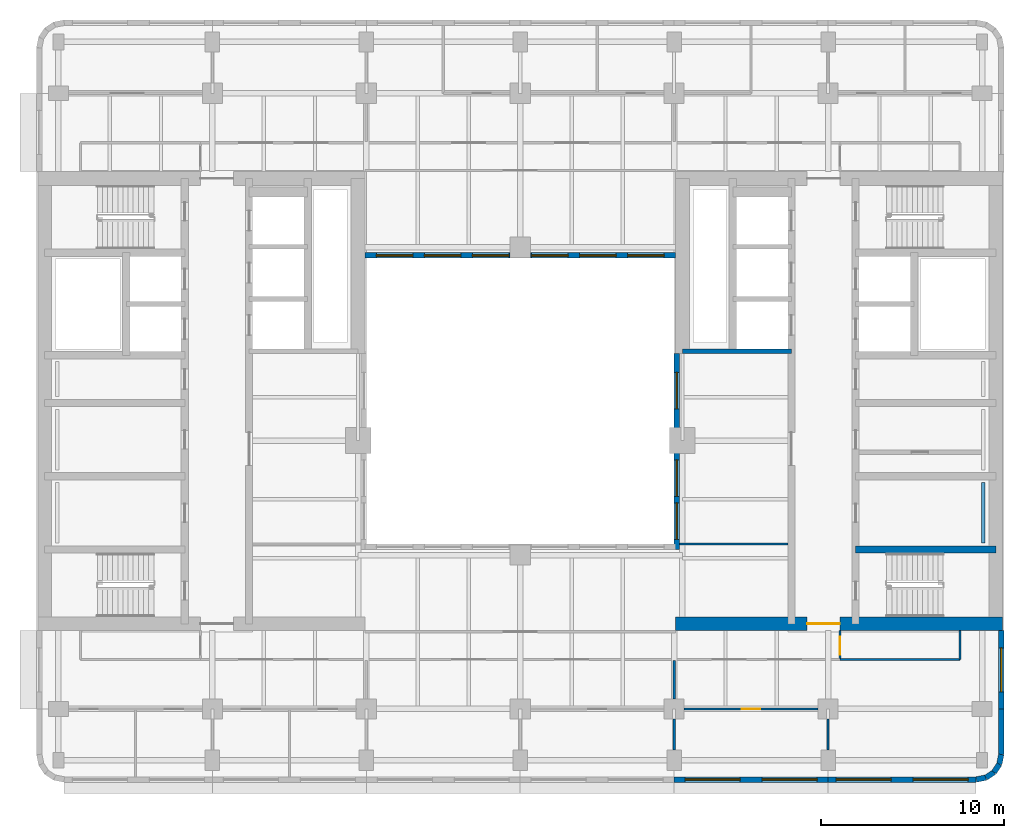
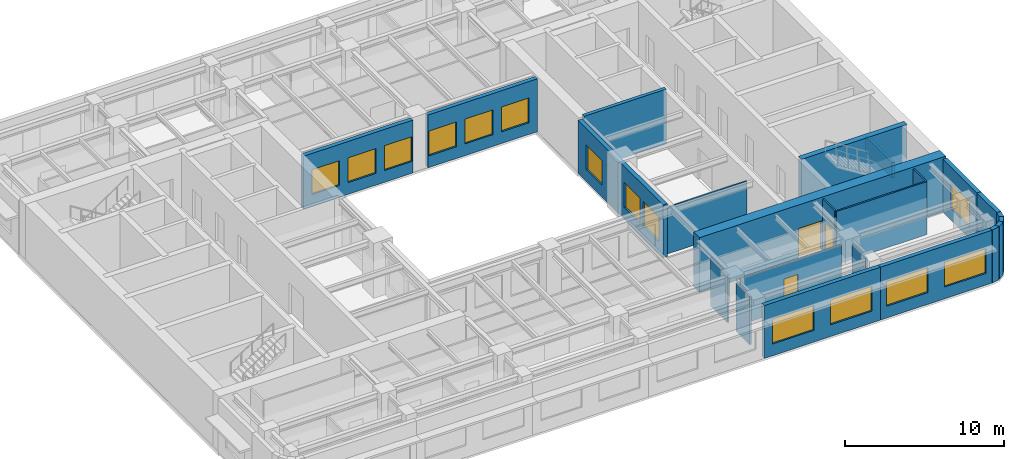
# One storey, part 5 of 11: 23 walls, 14 windows, 3 doors, 17 openings.
"""IFC4 building model written with IfcOpenShell, lengths in metres."""

from ifc_helpers import new_model, si_unit, direction, frame, frame_2d, origin, place, context, subcontext, project, spatial, rectangle, extrude, material, layer, layer_set, type_object, element, fill, save


model = new_model("IFC4")

# Units and contexts
model_context = context("Model", 3, precision=1e-05, world=origin(), true_north=direction((0.0, 1.0)))
body_context = subcontext(model_context, "Body", "Model", "MODEL_VIEW")
ifc_project = project(units=[si_unit("LENGTHUNIT", "METRE"), si_unit("AREAUNIT", "SQUARE_METRE"), si_unit("VOLUMEUNIT", "CUBIC_METRE"), si_unit("PLANEANGLEUNIT", "RADIAN"), si_unit("MASSUNIT", "GRAM", prefix="KILO")], contexts=[model_context])

# Site, building, storey
site_placement = place(None, origin())
site = spatial("IfcSite", under=ifc_project, at=site_placement, CompositionType="ELEMENT")
building_placement = place(site_placement, origin())
building = spatial("IfcBuilding", under=site, at=building_placement, Name="Claustro Exchange Tower", CompositionType="ELEMENT")
storey_placement = place(building_placement, frame((0.0, 0.0, 202.800048828125)))
storey = spatial("IfcBuildingStorey", under=building, at=storey_placement, Name="L46", CompositionType="ELEMENT", Elevation=202.800048828125)

# Wall
ifc_material_1 = material(Name="Laminated glass in aluminium frame", Category="aluminium")
ifc_layer_1 = layer(ifc_material_1, 0.1201171875)
ifc_layer_set_1 = layer_set([ifc_layer_1], Name="Laminated glass in aluminium frame")
wall_type_1 = type_object("IfcWallType", Name="P2 120 glazed partition", PredefinedType="PARTITIONING", material=ifc_layer_set_1)
wall_1_placement = place(storey_placement, frame((33.89794921875, 17.39990234375, 0.0), z_axis=(0.0, 0.0, 1.0), x_axis=(1.0, 0.0, 0.0)))
element("IfcWall", 1, at=wall_1_placement, inside=storey, type_object=wall_type_1, Name="Partition P2 L46", PredefinedType="PARTITIONING", context=body_context, shape_type="SweptSolid", body=[
    extrude(rectangle(XDim=5.904052734375, YDim=0.1201171875, at=frame_2d((2.9521484375, 0.0))), origin(), (0.0, 0.0, 1.0), 3.550048828125),
])

# Wall, opening, door
wall_2_placement = place(storey_placement, frame((34.14892578125, 8.39990234375, 0.0), z_axis=(0.0, 0.0, 1.0), x_axis=(1.0, 0.0, 0.0)))
wall_2 = element("IfcWall", 2, at=wall_2_placement, inside=storey, type_object=wall_type_1, Name="Partition P2 L46", PredefinedType="PARTITIONING", context=body_context, shape_type="SweptSolid", body=[
    extrude(rectangle(XDim=7.302001953125, YDim=0.1201171875, at=frame_2d((3.65087890625, 0.0))), origin(), (0.0, 0.0, 1.0), 3.550048828125),
])
opening_1_placement = place(wall_2_placement, frame((3.15087890625, 0.0, 0.0)))
opening_1 = element("IfcOpeningElement", 3, at=opening_1_placement, cuts=wall_2, Name="Opening D7", PredefinedType="OPENING", context=body_context, shape_type="SweptSolid", body=[
    extrude(rectangle(XDim=1.0, YDim=2.39990234375, at=frame_2d((0.5, 1.199951171875))), frame((0.0, 0.070068359375, 0.0), z_axis=(0.0, -1.0, 0.0), x_axis=(1.0, 0.0, 0.0)), (0.0, 0.0, 1.0), 0.14013671875),
])
ifc_material_2 = material(Name="Glass door in aluminium frame", Category="aluminium")
door_type_1 = type_object("IfcDoorType", Name="D7 1000 x 2400 glazed door", OperationType="SINGLE_SWING_LEFT", PredefinedType="DOOR", material=ifc_material_2)
door_1_placement = place(opening_1_placement, frame((1.0, 0.0, 0.0), z_axis=(0.0, 0.0, 1.0), x_axis=(-1.0, 0.0, 0.0)))
door_1 = element("IfcDoor", 4, at=door_1_placement, inside=storey, type_object=door_type_1, Name="Door D7 L46", OperationType="SINGLE_SWING_RIGHT", OverallHeight=2.39990234375, OverallWidth=1.0, PredefinedType="DOOR", context=body_context, shape_type="SweptSolid", body=[
    extrude(rectangle(XDim=1.0, YDim=2.39990234375, at=frame_2d((0.5, 1.199951171875))), frame((0.0, 0.02490234375, 0.0), z_axis=(0.0, -1.0, 0.0), x_axis=(1.0, 0.0, 0.0)), (0.0, 0.0, 1.0), 0.050048828125),
])
fill(opening_1, door_1)

# Walls
for number, where, z_axis, x_axis, name in (
    (5, (33.60009765625, 6.14892578125, 0.0), (0.0, 0.0, 1.0), (0.0, 1.0, 0.0), "Partition P2 L46"),
    (6, (42.0, 6.14892578125, 0.0), (0.0, 0.0, 1.0), (0.0, 1.0, 0.0), "Partition P2 L46"),
):
    element("IfcWall", number, at=place(storey_placement, frame(where, z_axis=z_axis, x_axis=x_axis)), inside=storey, type_object=wall_type_1, Name=name, PredefinedType="PARTITIONING", context=body_context, shape_type="SweptSolid", body=[
        extrude(rectangle(XDim=1.7021484375, YDim=0.1201171875, at=frame_2d((0.85107421875, 0.0))), origin(), (0.0, 0.0, 1.0), 3.68994140625),
    ])
wall_3_placement = place(storey_placement, frame((33.60009765625, 8.948974609375, 0.0), z_axis=(0.0, 0.0, 1.0), x_axis=(0.0, 1.0, 0.0)))
element("IfcWall", 7, at=wall_3_placement, inside=storey, type_object=wall_type_1, Name="Partition P2 L46", PredefinedType="PARTITIONING", context=body_context, shape_type="SweptSolid", body=[
    extrude(rectangle(XDim=2.093017578125, YDim=0.1201171875, at=frame_2d((1.04638671875, 0.0))), origin(), (0.0, 0.0, 1.0), 3.68994140625),
])

# Wall, opening, door
wall_4_placement = place(storey_placement, frame((42.64990234375, 11.157958984375, 0.0), z_axis=(0.0, 0.0, 1.0), x_axis=(0.0, 1.0, 0.0)))
wall_4 = element("IfcWall", 8, at=wall_4_placement, inside=storey, type_object=wall_type_1, Name="Partition P2 L46", PredefinedType="PARTITIONING", context=body_context, shape_type="SweptSolid", body=[
    extrude(rectangle(XDim=1.51806640625, YDim=0.1201171875, at=frame_2d((0.759033203125, 0.0))), origin(), (0.0, 0.0, 1.0), 4.050048828125),
])
opening_2_placement = place(wall_4_placement, frame((0.19189453125, 0.0, 0.0)))
opening_2 = element("IfcOpeningElement", 9, at=opening_2_placement, cuts=wall_4, Name="Opening D7", PredefinedType="OPENING", context=body_context, shape_type="SweptSolid", body=[
    extrude(rectangle(XDim=1.0, YDim=2.39990234375, at=frame_2d((0.5, 1.199951171875))), frame((0.0, 0.070068359375, 0.0), z_axis=(0.0, -1.0, 0.0), x_axis=(1.0, 0.0, 0.0)), (0.0, 0.0, 1.0), 0.14013671875),
])
door_2_placement = place(opening_2_placement, frame((1.0, 0.0, 0.0), z_axis=(0.0, 0.0, 1.0), x_axis=(-1.0, 0.0, 0.0)))
door_2 = element("IfcDoor", 10, at=door_2_placement, inside=storey, type_object=door_type_1, Name="Door D7 L46", OperationType="SINGLE_SWING_RIGHT", OverallHeight=2.39990234375, OverallWidth=1.0, PredefinedType="DOOR", context=body_context, shape_type="SweptSolid", body=[
    extrude(rectangle(XDim=1.0, YDim=2.39990234375, at=frame_2d((0.5, 1.199951171875))), frame((0.0, 0.02490234375, 0.0), z_axis=(0.0, -1.0, 0.0), x_axis=(1.0, 0.0, 0.0)), (0.0, 0.0, 1.0), 0.050048828125),
])
fill(opening_2, door_2)

# Walls
wall_5_placement = place(storey_placement, frame((42.64794921875, 11.10009765625, 0.0), z_axis=(0.0, 0.0, 1.0), x_axis=(1.0, 0.0, 0.0)))
element("IfcWall", 11, at=wall_5_placement, inside=storey, type_object=wall_type_1, Name="Partition P2 L46", PredefinedType="PARTITIONING", context=body_context, shape_type="SweptSolid", body=[
    extrude(rectangle(XDim=6.552001953125, YDim=0.1201171875, at=frame_2d((3.27587890625, 0.0))), origin(), (0.0, 0.0, 1.0), 4.050048828125),
])
wall_6_placement = place(storey_placement, frame((49.199951171875, 11.10009765625, 0.0), z_axis=(0.0, 0.0, 1.0), x_axis=(0.0, 1.0, 0.0)))
element("IfcWall", 12, at=wall_6_placement, inside=storey, type_object=wall_type_1, Name="Partition P2 L46", PredefinedType="PARTITIONING", context=body_context, shape_type="SweptSolid", body=[
    extrude(rectangle(XDim=1.575927734375, YDim=0.1201171875, at=frame_2d((0.7880859375, 0.0))), origin(), (0.0, 0.0, 1.0), 4.050048828125),
])

# Wall, openings, windows
ifc_material_3 = material(Name="Concrete HA-40 (C40/50), precast, white cement, acid-etched", Category="concrete")
ifc_layer_2 = layer(ifc_material_3, 0.300048828125)
ifc_layer_set_2 = layer_set([ifc_layer_2], Name="Concrete HA-40 (C40/50), precast, white cement, acid-etched")
wall_type_2 = type_object("IfcWallType", Name="PC1 300 precast concrete pier panel", PredefinedType="SOLIDWALL", material=ifc_layer_set_2)
wall_7_placement = place(storey_placement, frame((50.085205078125, 4.550048828125, 0.0), z_axis=(0.0, 0.0, 1.0), x_axis=(-1.0, 0.0, 0.0)))
wall_7 = element("IfcWall", 13, at=wall_7_placement, inside=storey, type_object=wall_type_2, Name="Precast pier panel PC1 L46", PredefinedType="SOLIDWALL", context=body_context, shape_type="SweptSolid", body=[
    extrude(rectangle(XDim=8.085205078125, YDim=0.300048828125, at=frame_2d((4.04248046875, 0.0))), origin(), (0.0, 0.0, 1.0), 4.050048828125),
])
opening_3_placement = place(wall_7_placement, frame((0.442626953125, 0.0, 0.89990234375)))
opening_3 = element("IfcOpeningElement", 14, at=opening_3_placement, cuts=wall_7, Name="Opening W1", PredefinedType="OPENING", context=body_context, shape_type="SweptSolid", body=[
    extrude(rectangle(XDim=3.0, YDim=1.89990234375, at=frame_2d((1.5, 0.949951171875))), frame((0.0, 0.159912109375, 0.0), z_axis=(0.0, -1.0, 0.0), x_axis=(1.0, 0.0, 0.0)), (0.0, 0.0, 1.0), 0.320068359375),
])
opening_4_placement = place(wall_7_placement, frame((4.642578125, 0.0, 0.89990234375)))
opening_4 = element("IfcOpeningElement", 15, at=opening_4_placement, cuts=wall_7, Name="Opening W1", PredefinedType="OPENING", context=body_context, shape_type="SweptSolid", body=[
    extrude(rectangle(XDim=3.0, YDim=1.89990234375, at=frame_2d((1.5, 0.949951171875))), frame((0.0, 0.159912109375, 0.0), z_axis=(0.0, -1.0, 0.0), x_axis=(1.0, 0.0, 0.0)), (0.0, 0.0, 1.0), 0.320068359375),
])
ifc_material_4 = material(Name="Aluminium frame, clear double glazing", Category="aluminium")
window_type_1 = type_object("IfcWindowType", Name="W1 3000 x 1900 window", PartitioningType="SINGLE_PANEL", PredefinedType="WINDOW", material=ifc_material_4)
window_1_placement = place(opening_3_placement, origin())
window_1 = element("IfcWindow", 16, at=window_1_placement, inside=storey, type_object=window_type_1, Name="Window W1 L46", OverallHeight=1.89990234375, OverallWidth=3.0, PartitioningType="SINGLE_PANEL", PredefinedType="WINDOW", context=body_context, shape_type="SweptSolid", body=[
    extrude(rectangle(XDim=3.0, YDim=1.89990234375, at=frame_2d((1.5, 0.949951171875))), frame((0.0, 0.030029296875, 0.0), z_axis=(0.0, -1.0, 0.0), x_axis=(1.0, 0.0, 0.0)), (0.0, 0.0, 1.0), 0.06005859375),
])
fill(opening_3, window_1)
window_2_placement = place(opening_4_placement, origin())
window_2 = element("IfcWindow", 17, at=window_2_placement, inside=storey, type_object=window_type_1, Name="Window W1 L46", OverallHeight=1.89990234375, OverallWidth=3.0, PartitioningType="SINGLE_PANEL", PredefinedType="WINDOW", context=body_context, shape_type="SweptSolid", body=[
    extrude(rectangle(XDim=3.0, YDim=1.89990234375, at=frame_2d((1.5, 0.949951171875))), frame((0.0, 0.030029296875, 0.0), z_axis=(0.0, -1.0, 0.0), x_axis=(1.0, 0.0, 0.0)), (0.0, 0.0, 1.0), 0.06005859375),
])
fill(opening_4, window_2)

wall_8_placement = place(storey_placement, frame((42.0, 4.550048828125, 0.0), z_axis=(0.0, 0.0, 1.0), x_axis=(-1.0, 0.0, 0.0)))
wall_8 = element("IfcWall", 18, at=wall_8_placement, inside=storey, type_object=wall_type_2, Name="Precast pier panel PC1 L46", PredefinedType="SOLIDWALL", context=body_context, shape_type="SweptSolid", body=[
    extrude(rectangle(XDim=8.39990234375, YDim=0.300048828125, at=frame_2d((4.199951171875, 0.0))), origin(), (0.0, 0.0, 1.0), 4.050048828125),
])
opening_5_placement = place(wall_8_placement, frame((0.60009765625, 0.0, 0.89990234375)))
opening_5 = element("IfcOpeningElement", 19, at=opening_5_placement, cuts=wall_8, Name="Opening W1", PredefinedType="OPENING", context=body_context, shape_type="SweptSolid", body=[
    extrude(rectangle(XDim=3.0, YDim=1.89990234375, at=frame_2d((1.5, 0.949951171875))), frame((0.0, 0.159912109375, 0.0), z_axis=(0.0, -1.0, 0.0), x_axis=(1.0, 0.0, 0.0)), (0.0, 0.0, 1.0), 0.320068359375),
])
opening_6_placement = place(wall_8_placement, frame((4.800048828125, 0.0, 0.89990234375)))
opening_6 = element("IfcOpeningElement", 20, at=opening_6_placement, cuts=wall_8, Name="Opening W1", PredefinedType="OPENING", context=body_context, shape_type="SweptSolid", body=[
    extrude(rectangle(XDim=3.0, YDim=1.89990234375, at=frame_2d((1.5, 0.949951171875))), frame((0.0, 0.159912109375, 0.0), z_axis=(0.0, -1.0, 0.0), x_axis=(1.0, 0.0, 0.0)), (0.0, 0.0, 1.0), 0.320068359375),
])
window_3_placement = place(opening_5_placement, origin())
window_3 = element("IfcWindow", 21, at=window_3_placement, inside=storey, type_object=window_type_1, Name="Window W1 L46", OverallHeight=1.89990234375, OverallWidth=3.0, PartitioningType="SINGLE_PANEL", PredefinedType="WINDOW", context=body_context, shape_type="SweptSolid", body=[
    extrude(rectangle(XDim=3.0, YDim=1.89990234375, at=frame_2d((1.5, 0.949951171875))), frame((0.0, 0.030029296875, 0.0), z_axis=(0.0, -1.0, 0.0), x_axis=(1.0, 0.0, 0.0)), (0.0, 0.0, 1.0), 0.06005859375),
])
fill(opening_5, window_3)
window_4_placement = place(opening_6_placement, origin())
window_4 = element("IfcWindow", 22, at=window_4_placement, inside=storey, type_object=window_type_1, Name="Window W1 L46", OverallHeight=1.89990234375, OverallWidth=3.0, PartitioningType="SINGLE_PANEL", PredefinedType="WINDOW", context=body_context, shape_type="SweptSolid", body=[
    extrude(rectangle(XDim=3.0, YDim=1.89990234375, at=frame_2d((1.5, 0.949951171875))), frame((0.0, 0.030029296875, 0.0), z_axis=(0.0, -1.0, 0.0), x_axis=(1.0, 0.0, 0.0)), (0.0, 0.0, 1.0), 0.06005859375),
])
fill(opening_6, window_4)

# Wall, opening, window
wall_9_placement = place(storey_placement, frame((51.449951171875, 12.675048828125, 0.0), z_axis=(0.0, 0.0, 1.0), x_axis=(0.0, -1.0, 0.0)))
wall_9 = element("IfcWall", 23, at=wall_9_placement, inside=storey, type_object=wall_type_2, Name="Precast pier panel PC1 L46", PredefinedType="SOLIDWALL", context=body_context, shape_type="SweptSolid", body=[
    extrude(rectangle(XDim=4.275146484375, YDim=0.300048828125, at=frame_2d((2.1376953125, 0.0))), origin(), (0.0, 0.0, 1.0), 4.050048828125),
])
opening_7_placement = place(wall_9_placement, frame((0.9375, 0.0, 0.89990234375)))
opening_7 = element("IfcOpeningElement", 24, at=opening_7_placement, cuts=wall_9, Name="Opening W2", PredefinedType="OPENING", context=body_context, shape_type="SweptSolid", body=[
    extrude(rectangle(XDim=2.39990234375, YDim=1.89990234375, at=frame_2d((1.199951171875, 0.949951171875))), frame((0.0, 0.159912109375, 0.0), z_axis=(0.0, -1.0, 0.0), x_axis=(1.0, 0.0, 0.0)), (0.0, 0.0, 1.0), 0.320068359375),
])
ifc_material_5 = material(Name="Aluminium frame, clear double glazing", Category="aluminium")
window_type_2 = type_object("IfcWindowType", Name="W2 2400 x 1900 window", PartitioningType="SINGLE_PANEL", PredefinedType="WINDOW", material=ifc_material_5)
window_5_placement = place(opening_7_placement, origin())
window_5 = element("IfcWindow", 25, at=window_5_placement, inside=storey, type_object=window_type_2, Name="Window W2 L46", OverallHeight=1.89990234375, OverallWidth=2.39990234375, PartitioningType="SINGLE_PANEL", PredefinedType="WINDOW", context=body_context, shape_type="SweptSolid", body=[
    extrude(rectangle(XDim=2.39990234375, YDim=1.89990234375, at=frame_2d((1.199951171875, 0.949951171875))), frame((0.0, 0.030029296875, 0.0), z_axis=(0.0, -1.0, 0.0), x_axis=(1.0, 0.0, 0.0)), (0.0, 0.0, 1.0), 0.06005859375),
])
fill(opening_7, window_5)

# Walls
wall_10_placement = place(storey_placement, frame((51.449951171875, 8.39990234375, 0.0), z_axis=(0.0, 0.0, 1.0), x_axis=(0.0, -1.0, 0.0)))
element("IfcWall", 26, at=wall_10_placement, inside=storey, type_object=wall_type_2, Name="Precast pier panel PC1 L46", PredefinedType="SOLIDWALL", context=body_context, shape_type="SweptSolid", body=[
    extrude(rectangle(XDim=2.485107421875, YDim=0.300048828125, at=frame_2d((1.24267578125, 0.0))), origin(), (0.0, 0.0, 1.0), 4.050048828125),
])
wall_11_placement = place(storey_placement, frame((51.449951171875, 5.914794921875, 0.0), z_axis=(0.0, 0.0, 1.0), x_axis=(-0.195073962632, -0.980788534345, 0.0)))
element("IfcWall", 27, at=wall_11_placement, inside=storey, type_object=wall_type_2, Name="Precast pier panel PC1 L46", PredefinedType="SOLIDWALL", context=body_context, shape_type="SweptSolid", body=[
    extrude(rectangle(XDim=0.540771484375, YDim=0.300048828125, at=frame_2d((0.2705078125, 0.0))), origin(), (0.0, 0.0, 1.0), 4.050048828125),
])
for number, where, z_axis, x_axis, name in (
    (28, (51.344482421875, 5.384521484375, 0.0), (0.0, 0.0, 1.0), (-0.555557463938, -0.831478144188, 0.0), "Precast pier panel PC1 L46"),
    (29, (51.052490234375, 4.947509765625, 0.0), (0.0, 0.0, 1.0), (-0.831478144188, -0.555557463938, 0.0), "Precast pier panel PC1 L46"),
):
    element("IfcWall", number, at=place(storey_placement, frame(where, z_axis=z_axis, x_axis=x_axis)), inside=storey, type_object=wall_type_2, Name=name, PredefinedType="SOLIDWALL", context=body_context, shape_type="SweptSolid", body=[
        extrude(rectangle(XDim=0.525634765625, YDim=0.300048828125, at=frame_2d((0.2626953125, 0.0))), origin(), (0.0, 0.0, 1.0), 4.050048828125),
    ])
wall_12_placement = place(storey_placement, frame((50.615478515625, 4.655517578125, 0.0), z_axis=(0.0, 0.0, 1.0), x_axis=(-0.980788534345, -0.195073962632, 0.0)))
element("IfcWall", 30, at=wall_12_placement, inside=storey, type_object=wall_type_2, Name="Precast pier panel PC1 L46", PredefinedType="SOLIDWALL", context=body_context, shape_type="SweptSolid", body=[
    extrude(rectangle(XDim=0.540771484375, YDim=0.300048828125, at=frame_2d((0.2705078125, 0.0))), origin(), (0.0, 0.0, 1.0), 4.050048828125),
])

# Wall, openings, windows
wall_13_placement = place(storey_placement, frame((33.75, 17.10009765625, 0.0), z_axis=(0.0, 0.0, 1.0), x_axis=(0.0, 1.0, 0.0)))
wall_13 = element("IfcWall", 31, at=wall_13_placement, inside=storey, type_object=wall_type_2, Name="Precast pier panel PC1 L46", PredefinedType="SOLIDWALL", context=body_context, shape_type="SweptSolid", body=[
    extrude(rectangle(XDim=10.699951171875, YDim=0.300048828125, at=frame_2d((5.35009765625, 0.0))), origin(), (0.0, 0.0, 1.0), 4.050048828125),
])
opening_8_placement = place(wall_13_placement, frame((0.550048828125, 0.0, 0.89990234375)))
opening_8 = element("IfcOpeningElement", 32, at=opening_8_placement, cuts=wall_13, Name="Opening W4", PredefinedType="OPENING", context=body_context, shape_type="SweptSolid", body=[
    extrude(rectangle(XDim=2.0, YDim=1.89990234375, at=frame_2d((1.0, 0.949951171875))), frame((0.0, 0.159912109375, 0.0), z_axis=(0.0, -1.0, 0.0), x_axis=(1.0, 0.0, 0.0)), (0.0, 0.0, 1.0), 0.320068359375),
])
opening_9_placement = place(wall_13_placement, frame((2.89990234375, 0.0, 0.89990234375)))
opening_9 = element("IfcOpeningElement", 33, at=opening_9_placement, cuts=wall_13, Name="Opening W4", PredefinedType="OPENING", context=body_context, shape_type="SweptSolid", body=[
    extrude(rectangle(XDim=2.0, YDim=1.89990234375, at=frame_2d((1.0, 0.949951171875))), frame((0.0, 0.159912109375, 0.0), z_axis=(0.0, -1.0, 0.0), x_axis=(1.0, 0.0, 0.0)), (0.0, 0.0, 1.0), 0.320068359375),
])
opening_10_placement = place(wall_13_placement, frame((7.675048828125, 0.0, 0.89990234375)))
opening_10 = element("IfcOpeningElement", 34, at=opening_10_placement, cuts=wall_13, Name="Opening W4", PredefinedType="OPENING", context=body_context, shape_type="SweptSolid", body=[
    extrude(rectangle(XDim=2.0, YDim=1.89990234375, at=frame_2d((1.0, 0.949951171875))), frame((0.0, 0.159912109375, 0.0), z_axis=(0.0, -1.0, 0.0), x_axis=(1.0, 0.0, 0.0)), (0.0, 0.0, 1.0), 0.320068359375),
])
ifc_material_6 = material(Name="Aluminium frame, clear double glazing", Category="aluminium")
window_type_3 = type_object("IfcWindowType", Name="W4 2000 x 1900 light well window", PartitioningType="SINGLE_PANEL", PredefinedType="WINDOW", material=ifc_material_6)
window_6_placement = place(opening_8_placement, origin())
window_6 = element("IfcWindow", 35, at=window_6_placement, inside=storey, type_object=window_type_3, Name="Window W4 L46", OverallHeight=1.89990234375, OverallWidth=2.0, PartitioningType="SINGLE_PANEL", PredefinedType="WINDOW", context=body_context, shape_type="SweptSolid", body=[
    extrude(rectangle(XDim=2.0, YDim=1.89990234375, at=frame_2d((1.0, 0.949951171875))), frame((0.0, 0.030029296875, 0.0), z_axis=(0.0, -1.0, 0.0), x_axis=(1.0, 0.0, 0.0)), (0.0, 0.0, 1.0), 0.06005859375),
])
fill(opening_8, window_6)
window_7_placement = place(opening_9_placement, origin())
window_7 = element("IfcWindow", 36, at=window_7_placement, inside=storey, type_object=window_type_3, Name="Window W4 L46", OverallHeight=1.89990234375, OverallWidth=2.0, PartitioningType="SINGLE_PANEL", PredefinedType="WINDOW", context=body_context, shape_type="SweptSolid", body=[
    extrude(rectangle(XDim=2.0, YDim=1.89990234375, at=frame_2d((1.0, 0.949951171875))), frame((0.0, 0.030029296875, 0.0), z_axis=(0.0, -1.0, 0.0), x_axis=(1.0, 0.0, 0.0)), (0.0, 0.0, 1.0), 0.06005859375),
])
fill(opening_9, window_7)
window_8_placement = place(opening_10_placement, origin())
window_8 = element("IfcWindow", 37, at=window_8_placement, inside=storey, type_object=window_type_3, Name="Window W4 L46", OverallHeight=1.89990234375, OverallWidth=2.0, PartitioningType="SINGLE_PANEL", PredefinedType="WINDOW", context=body_context, shape_type="SweptSolid", body=[
    extrude(rectangle(XDim=2.0, YDim=1.89990234375, at=frame_2d((1.0, 0.949951171875))), frame((0.0, 0.030029296875, 0.0), z_axis=(0.0, -1.0, 0.0), x_axis=(1.0, 0.0, 0.0)), (0.0, 0.0, 1.0), 0.06005859375),
])
fill(opening_10, window_8)

wall_14_placement = place(storey_placement, frame((16.72509765625, 33.14990234375, 0.0), z_axis=(0.0, 0.0, 1.0), x_axis=(1.0, 0.0, 0.0)))
wall_14 = element("IfcWall", 38, at=wall_14_placement, inside=storey, type_object=wall_type_2, Name="Precast pier panel PC1 L46", PredefinedType="SOLIDWALL", context=body_context, shape_type="SweptSolid", body=[
    extrude(rectangle(XDim=7.9248046875, YDim=0.300048828125, at=frame_2d((3.96240234375, 0.0))), origin(), (0.0, 0.0, 1.0), 4.050048828125),
])
opening_11_placement = place(wall_14_placement, frame((0.61865234375, 0.0, 0.89990234375)))
opening_11 = element("IfcOpeningElement", 39, at=opening_11_placement, cuts=wall_14, Name="Opening W4", PredefinedType="OPENING", context=body_context, shape_type="SweptSolid", body=[
    extrude(rectangle(XDim=2.0, YDim=1.89990234375, at=frame_2d((1.0, 0.949951171875))), frame((0.0, 0.159912109375, 0.0), z_axis=(0.0, -1.0, 0.0), x_axis=(1.0, 0.0, 0.0)), (0.0, 0.0, 1.0), 0.320068359375),
])
opening_12_placement = place(wall_14_placement, frame((3.237548828125, 0.0, 0.89990234375)))
opening_12 = element("IfcOpeningElement", 40, at=opening_12_placement, cuts=wall_14, Name="Opening W4", PredefinedType="OPENING", context=body_context, shape_type="SweptSolid", body=[
    extrude(rectangle(XDim=2.0, YDim=1.89990234375, at=frame_2d((1.0, 0.949951171875))), frame((0.0, 0.159912109375, 0.0), z_axis=(0.0, -1.0, 0.0), x_axis=(1.0, 0.0, 0.0)), (0.0, 0.0, 1.0), 0.320068359375),
])
opening_13_placement = place(wall_14_placement, frame((5.856201171875, 0.0, 0.89990234375)))
opening_13 = element("IfcOpeningElement", 41, at=opening_13_placement, cuts=wall_14, Name="Opening W4", PredefinedType="OPENING", context=body_context, shape_type="SweptSolid", body=[
    extrude(rectangle(XDim=2.0, YDim=1.89990234375, at=frame_2d((1.0, 0.949951171875))), frame((0.0, 0.159912109375, 0.0), z_axis=(0.0, -1.0, 0.0), x_axis=(1.0, 0.0, 0.0)), (0.0, 0.0, 1.0), 0.320068359375),
])
window_9_placement = place(opening_11_placement, origin())
window_9 = element("IfcWindow", 42, at=window_9_placement, inside=storey, type_object=window_type_3, Name="Window W4 L46", OverallHeight=1.89990234375, OverallWidth=2.0, PartitioningType="SINGLE_PANEL", PredefinedType="WINDOW", context=body_context, shape_type="SweptSolid", body=[
    extrude(rectangle(XDim=2.0, YDim=1.89990234375, at=frame_2d((1.0, 0.949951171875))), frame((0.0, 0.030029296875, 0.0), z_axis=(0.0, -1.0, 0.0), x_axis=(1.0, 0.0, 0.0)), (0.0, 0.0, 1.0), 0.06005859375),
])
fill(opening_11, window_9)
window_10_placement = place(opening_12_placement, origin())
window_10 = element("IfcWindow", 43, at=window_10_placement, inside=storey, type_object=window_type_3, Name="Window W4 L46", OverallHeight=1.89990234375, OverallWidth=2.0, PartitioningType="SINGLE_PANEL", PredefinedType="WINDOW", context=body_context, shape_type="SweptSolid", body=[
    extrude(rectangle(XDim=2.0, YDim=1.89990234375, at=frame_2d((1.0, 0.949951171875))), frame((0.0, 0.030029296875, 0.0), z_axis=(0.0, -1.0, 0.0), x_axis=(1.0, 0.0, 0.0)), (0.0, 0.0, 1.0), 0.06005859375),
])
fill(opening_12, window_10)
window_11_placement = place(opening_13_placement, origin())
window_11 = element("IfcWindow", 44, at=window_11_placement, inside=storey, type_object=window_type_3, Name="Window W4 L46", OverallHeight=1.89990234375, OverallWidth=2.0, PartitioningType="SINGLE_PANEL", PredefinedType="WINDOW", context=body_context, shape_type="SweptSolid", body=[
    extrude(rectangle(XDim=2.0, YDim=1.89990234375, at=frame_2d((1.0, 0.949951171875))), frame((0.0, 0.030029296875, 0.0), z_axis=(0.0, -1.0, 0.0), x_axis=(1.0, 0.0, 0.0)), (0.0, 0.0, 1.0), 0.06005859375),
])
fill(opening_13, window_11)

wall_15_placement = place(storey_placement, frame((25.75, 33.14990234375, 0.0), z_axis=(0.0, 0.0, 1.0), x_axis=(1.0, 0.0, 0.0)))
wall_15 = element("IfcWall", 45, at=wall_15_placement, inside=storey, type_object=wall_type_2, Name="Precast pier panel PC1 L46", PredefinedType="SOLIDWALL", context=body_context, shape_type="SweptSolid", body=[
    extrude(rectangle(XDim=7.925048828125, YDim=0.300048828125, at=frame_2d((3.96240234375, 0.0))), origin(), (0.0, 0.0, 1.0), 4.050048828125),
])
opening_14_placement = place(wall_15_placement, frame((0.068603515625, 0.0, 0.89990234375)))
opening_14 = element("IfcOpeningElement", 46, at=opening_14_placement, cuts=wall_15, Name="Opening W4", PredefinedType="OPENING", context=body_context, shape_type="SweptSolid", body=[
    extrude(rectangle(XDim=2.0, YDim=1.89990234375, at=frame_2d((1.0, 0.949951171875))), frame((0.0, 0.159912109375, 0.0), z_axis=(0.0, -1.0, 0.0), x_axis=(1.0, 0.0, 0.0)), (0.0, 0.0, 1.0), 0.320068359375),
])
opening_15_placement = place(wall_15_placement, frame((2.6875, 0.0, 0.89990234375)))
opening_15 = element("IfcOpeningElement", 47, at=opening_15_placement, cuts=wall_15, Name="Opening W4", PredefinedType="OPENING", context=body_context, shape_type="SweptSolid", body=[
    extrude(rectangle(XDim=2.0, YDim=1.89990234375, at=frame_2d((1.0, 0.949951171875))), frame((0.0, 0.159912109375, 0.0), z_axis=(0.0, -1.0, 0.0), x_axis=(1.0, 0.0, 0.0)), (0.0, 0.0, 1.0), 0.320068359375),
])
opening_16_placement = place(wall_15_placement, frame((5.30615234375, 0.0, 0.89990234375)))
opening_16 = element("IfcOpeningElement", 48, at=opening_16_placement, cuts=wall_15, Name="Opening W4", PredefinedType="OPENING", context=body_context, shape_type="SweptSolid", body=[
    extrude(rectangle(XDim=2.0, YDim=1.89990234375, at=frame_2d((1.0, 0.949951171875))), frame((0.0, 0.159912109375, 0.0), z_axis=(0.0, -1.0, 0.0), x_axis=(1.0, 0.0, 0.0)), (0.0, 0.0, 1.0), 0.320068359375),
])
window_12_placement = place(opening_14_placement, origin())
window_12 = element("IfcWindow", 49, at=window_12_placement, inside=storey, type_object=window_type_3, Name="Window W4 L46", OverallHeight=1.89990234375, OverallWidth=2.0, PartitioningType="SINGLE_PANEL", PredefinedType="WINDOW", context=body_context, shape_type="SweptSolid", body=[
    extrude(rectangle(XDim=2.0, YDim=1.89990234375, at=frame_2d((1.0, 0.949951171875))), frame((0.0, 0.030029296875, 0.0), z_axis=(0.0, -1.0, 0.0), x_axis=(1.0, 0.0, 0.0)), (0.0, 0.0, 1.0), 0.06005859375),
])
fill(opening_14, window_12)
window_13_placement = place(opening_15_placement, origin())
window_13 = element("IfcWindow", 50, at=window_13_placement, inside=storey, type_object=window_type_3, Name="Window W4 L46", OverallHeight=1.89990234375, OverallWidth=2.0, PartitioningType="SINGLE_PANEL", PredefinedType="WINDOW", context=body_context, shape_type="SweptSolid", body=[
    extrude(rectangle(XDim=2.0, YDim=1.89990234375, at=frame_2d((1.0, 0.949951171875))), frame((0.0, 0.030029296875, 0.0), z_axis=(0.0, -1.0, 0.0), x_axis=(1.0, 0.0, 0.0)), (0.0, 0.0, 1.0), 0.06005859375),
])
fill(opening_15, window_13)
window_14_placement = place(opening_16_placement, origin())
window_14 = element("IfcWindow", 51, at=window_14_placement, inside=storey, type_object=window_type_3, Name="Window W4 L46", OverallHeight=1.89990234375, OverallWidth=2.0, PartitioningType="SINGLE_PANEL", PredefinedType="WINDOW", context=body_context, shape_type="SweptSolid", body=[
    extrude(rectangle(XDim=2.0, YDim=1.89990234375, at=frame_2d((1.0, 0.949951171875))), frame((0.0, 0.030029296875, 0.0), z_axis=(0.0, -1.0, 0.0), x_axis=(1.0, 0.0, 0.0)), (0.0, 0.0, 1.0), 0.06005859375),
])
fill(opening_16, window_14)

# Wall
ifc_material_7 = material(Name="Gypsum board on steel studs, tiled", Category="steel")
ifc_layer_3 = layer(ifc_material_7, 0.199951171875)
ifc_layer_set_3 = layer_set([ifc_layer_3], Name="Gypsum board on steel studs, tiled")
wall_type_3 = type_object("IfcWallType", Name="PW1 200 WC duct wall", PredefinedType="PLUMBINGWALL", material=ifc_layer_set_3)
wall_16_placement = place(storey_placement, frame((50.47509765625, 17.449951171875, 0.0), z_axis=(0.0, 0.0, 1.0), x_axis=(0.0, 1.0, 0.0)))
element("IfcWall", 52, at=wall_16_placement, inside=storey, type_object=wall_type_3, Name="WC duct wall PW1 L46", PredefinedType="PLUMBINGWALL", context=body_context, shape_type="SweptSolid", body=[
    extrude(rectangle(XDim=3.300048828125, YDim=0.199951171875, at=frame_2d((1.64990234375, 0.0))), origin(), (0.0, 0.0, 1.0), 1.199951171875),
])

# Wall, opening, door
ifc_material_8 = material(Name="Concrete HA-70 (C70/85)", Category="concrete")
ifc_layer_4 = layer(ifc_material_8, 0.75)
ifc_layer_set_4 = layer_set([ifc_layer_4], Name="Concrete HA-70 (C70/85)")
wall_type_4 = type_object("IfcWallType", Name="SW2 750 core shear wall", PredefinedType="SHEAR", material=ifc_layer_set_4)
wall_17_placement = place(storey_placement, frame((33.675048828125, 13.050048828125, 0.0), z_axis=(0.0, 0.0, 1.0), x_axis=(1.0, 0.0, 0.0)))
wall_17 = element("IfcWall", 53, at=wall_17_placement, inside=storey, type_object=wall_type_4, Name="Core wall SW2 E core S face L46", PredefinedType="SHEAR", context=body_context, shape_type="SweptSolid", body=[
    extrude(rectangle(XDim=17.849853515625, YDim=0.75, at=frame_2d((8.9248046875, 0.0))), origin(), (0.0, 0.0, 1.0), 4.199951171875),
])
opening_17_placement = place(wall_17_placement, frame((7.175048828125, 0.0, 0.0)))
opening_17 = element("IfcOpeningElement", 54, at=opening_17_placement, cuts=wall_17, Name="Opening D3", PredefinedType="OPENING", context=body_context, shape_type="SweptSolid", body=[
    extrude(rectangle(XDim=1.800048828125, YDim=2.39990234375, at=frame_2d((0.89990234375, 1.199951171875))), frame((0.0, 0.385009765625, 0.0), z_axis=(0.0, -1.0, 0.0), x_axis=(1.0, 0.0, 0.0)), (0.0, 0.0, 1.0), 0.77001953125),
])
ifc_material_9 = material(Name="Steel fire door, painted", Category="steel")
door_type_2 = type_object("IfcDoorType", Name="D3 1800 x 2400 fire-rated lobby double door", OperationType="DOUBLE_DOOR_SINGLE_SWING", PredefinedType="DOOR", material=ifc_material_9)
door_3_placement = place(opening_17_placement, origin())
door_3 = element("IfcDoor", 55, at=door_3_placement, inside=storey, type_object=door_type_2, Name="Lift lobby door D3 L46", OperationType="DOUBLE_DOOR_SINGLE_SWING", OverallHeight=2.39990234375, OverallWidth=1.800048828125, PredefinedType="DOOR", context=body_context, shape_type="SweptSolid", body=[
    extrude(rectangle(XDim=1.800048828125, YDim=2.39990234375, at=frame_2d((0.89990234375, 1.199951171875))), frame((0.0, 0.02490234375, 0.0), z_axis=(0.0, -1.0, 0.0), x_axis=(1.0, 0.0, 0.0)), (0.0, 0.0, 1.0), 0.050048828125),
])
fill(opening_17, door_3)

# Walls
ifc_material_10 = material(Name="Concrete HA-50 (C50/60)", Category="concrete")
ifc_layer_5 = layer(ifc_material_10, 0.39990234375)
ifc_layer_set_5 = layer_set([ifc_layer_5], Name="Concrete HA-50 (C50/60)")
wall_type_5 = type_object("IfcWallType", Name="SW4 400 internal core wall", PredefinedType="SHEAR", material=ifc_layer_set_5)
wall_18_placement = place(storey_placement, frame((51.14990234375, 17.10009765625, 0.0), z_axis=(0.0, 0.0, 1.0), x_axis=(-1.0, 0.0, 0.0)))
element("IfcWall", 56, at=wall_18_placement, inside=storey, type_object=wall_type_5, Name="Internal core wall SW4 E core L46", PredefinedType="SHEAR", context=body_context, shape_type="SweptSolid", body=[
    extrude(rectangle(XDim=7.64990234375, YDim=0.39990234375, at=frame_2d((3.824951171875, 0.0))), origin(), (0.0, 0.0, 1.0), 4.199951171875),
])
ifc_material_11 = material(Name="Concrete HA-50 (C50/60)", Category="concrete")
ifc_layer_6 = layer(ifc_material_11, 0.25)
ifc_layer_set_6 = layer_set([ifc_layer_6], Name="Concrete HA-50 (C50/60)")
wall_type_6 = type_object("IfcWallType", Name="SW5 250 lift shaft divider wall", PredefinedType="SHEAR", material=ifc_layer_set_6)
wall_19_placement = place(storey_placement, frame((40.0, 27.925048828125, 0.0), z_axis=(0.0, 0.0, 1.0), x_axis=(-1.0, 0.0, 0.0)))
element("IfcWall", 57, at=wall_19_placement, inside=storey, type_object=wall_type_6, Name="Core step wall E core L46", PredefinedType="SHEAR", context=body_context, shape_type="SweptSolid", body=[
    extrude(rectangle(XDim=5.949951171875, YDim=0.25, at=frame_2d((2.97509765625, 0.0))), origin(), (0.0, 0.0, 1.0), 4.199951171875),
])

save(model, "model.ifc")
